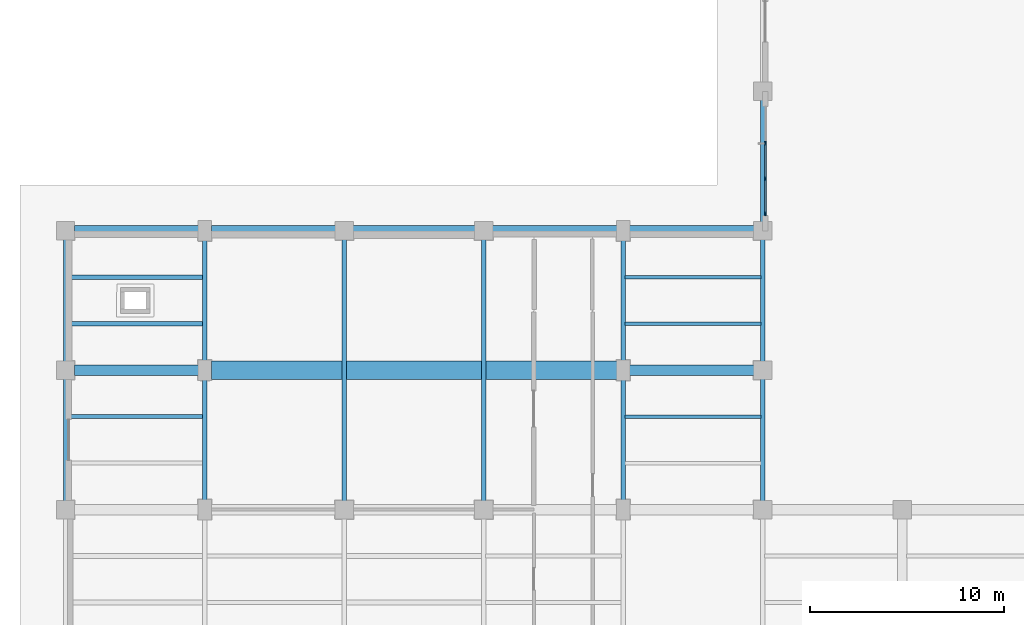
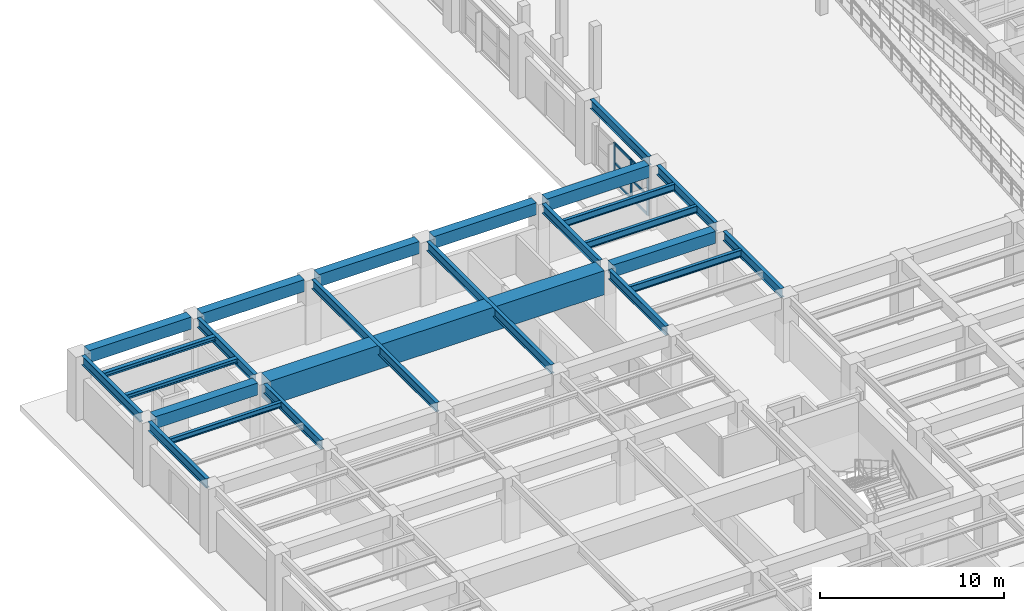
# One storey, part 9 of 64: 25 beams, 9 members, 1 element without a shape of its own.
"""IFC4 building model written with IfcOpenShell, lengths in metres."""

from ifc_helpers import new_model, si_unit, direction, frame, origin, origin_2d, place, context, subcontext, project, spatial, rectangle, i_section, extrude, material, layer, layer_set, material_profile, profile_set, type_object, element, aggregate, save


model = new_model("IFC4")

# Units and contexts
model_context = context("Model", 3, precision=1e-05, world=origin(), true_north=direction((0.0, 1.0)))
body_context = subcontext(model_context, "Body", "Model", "MODEL_VIEW")
ifc_project = project(units=[si_unit("LENGTHUNIT", "METRE"), si_unit("AREAUNIT", "SQUARE_METRE"), si_unit("VOLUMEUNIT", "CUBIC_METRE"), si_unit("PLANEANGLEUNIT", "RADIAN"), si_unit("MASSUNIT", "GRAM", prefix="KILO")], contexts=[model_context])

# Site, building, storey
site_placement = place(None, origin())
site = spatial("IfcSite", under=ifc_project, at=site_placement, CompositionType="ELEMENT")
building_placement = place(site_placement, origin())
building = spatial("IfcBuilding", under=site, at=building_placement, Name="Solenvale Faculty of Natural Sciences", CompositionType="ELEMENT")
storey_placement = place(building_placement, origin())
storey = spatial("IfcBuildingStorey", under=building, at=storey_placement, Name="L00", CompositionType="ELEMENT", Elevation=0.0)

# Beams
ifc_material_1 = material(Name="Concrete 40 MPa", Category="concrete")
ifc_material_profile_1 = material_profile(ifc_material_1, rectangle(XDim=0.550048828125, YDim=0.800048828125, at=origin_2d()), Name="RC-BM-550x800")
ifc_profile_set_1 = profile_set([ifc_material_profile_1], Name="Concrete 40 MPa")
beam_type_1 = type_object("IfcBeamType", Name="BM-RC-550x800", PredefinedType="BEAM", material=ifc_profile_set_1)
for number, where, z_axis, x_axis, name in (
    (1, (0.455078125, 36.0, 3.820068359375), (1.0, 0.0, 0.0), (0.0, 1.0, 0.0), "L00 X-Girder Y36.0 (0.0..7.2)"),
    (2, (29.1298828125, 36.0, 3.820068359375), (1.0, 0.0, 0.0), (0.0, 1.0, 0.0), "L00 X-Girder Y36.0 (28.8..36.0)"),
    (3, (0.455078125, 43.199951171875, 3.820068359375), (1.0, 0.0, 0.0), (0.0, 1.0, 0.0), "L00 X-Girder Y43.2 (0.0..7.2)"),
    (4, (7.530029296875, 43.199951171875, 3.820068359375), (1.0, 0.0, 0.0), (0.0, 1.0, 0.0), "L00 X-Girder Y43.2 (7.2..14.4)"),
):
    element("IfcBeam", number, at=place(storey_placement, frame(where, z_axis=z_axis, x_axis=x_axis)), inside=storey, type_object=beam_type_1, Name=name, PredefinedType="BEAM", context=body_context, shape_type="SweptSolid", body=[
        extrude(rectangle(XDim=0.550048828125, YDim=0.800048828125, at=origin_2d()), origin(), (0.0, 0.0, 1.0), 6.4150390625),
    ])
beam_1_placement = place(storey_placement, frame((14.85498046875, 43.199951171875, 3.820068359375), z_axis=(1.0, 0.0, 0.0), x_axis=(0.0, 1.0, 0.0)))
element("IfcBeam", 5, at=beam_1_placement, inside=storey, type_object=beam_type_1, Name="L00 X-Girder Y43.2 (14.4..21.6)", PredefinedType="BEAM", context=body_context, shape_type="SweptSolid", body=[
    extrude(rectangle(XDim=0.550048828125, YDim=0.800048828125, at=origin_2d()), origin(), (0.0, 0.0, 1.0), 6.2900390625),
])
for number, where, z_axis, x_axis, name in (
    (6, (22.054931640625, 43.199951171875, 3.820068359375), (1.0, 0.0, 0.0), (0.0, 1.0, 0.0), "L00 X-Girder Y43.2 (21.6..28.8)"),
    (7, (29.1298828125, 43.199951171875, 3.820068359375), (1.0, 0.0, 0.0), (0.0, 1.0, 0.0), "L00 X-Girder Y43.2 (28.8..36.0)"),
):
    element("IfcBeam", number, at=place(storey_placement, frame(where, z_axis=z_axis, x_axis=x_axis)), inside=storey, type_object=beam_type_1, Name=name, PredefinedType="BEAM", context=body_context, shape_type="SweptSolid", body=[
        extrude(rectangle(XDim=0.550048828125, YDim=0.800048828125, at=origin_2d()), origin(), (0.0, 0.0, 1.0), 6.4150390625),
    ])
ifc_material_2 = material(Name="Steel S355", Category="steel")
ifc_material_profile_2 = material_profile(ifc_material_2, i_section(OverallWidth=0.25390625, OverallDepth=0.305908203125, WebThickness=0.0087890625, FlangeThickness=0.0146484375, FilletRadius=0.014892578125, at=origin_2d()), Name="W310x79")
ifc_profile_set_2 = profile_set([ifc_material_profile_2], Name="Steel S355")
beam_type_2 = type_object("IfcBeamType", Name="BM-STL-W310x79", PredefinedType="JOIST", material=ifc_profile_set_2)
for number, where, z_axis, x_axis, name in (
    (8, (0.094970703125, 38.39990234375, 4.06689453125), (1.0, 0.0, 0.0), (0.0, 1.0, 0.0), "L00 Composite Floor Joist (1,6).1"),
    (9, (0.094970703125, 40.800048828125, 4.06689453125), (1.0, 0.0, 0.0), (0.0, 1.0, 0.0), "L00 Composite Floor Joist (1,6).2"),
):
    element("IfcBeam", number, at=place(storey_placement, frame(where, z_axis=z_axis, x_axis=x_axis)), inside=storey, type_object=beam_type_2, Name=name, PredefinedType="JOIST", context=body_context, shape_type="SweptSolid", body=[
        extrude(i_section(OverallWidth=0.25390625, OverallDepth=0.305908203125, WebThickness=0.0087890625, FlangeThickness=0.0146484375, FilletRadius=0.014892578125, at=origin_2d()), origin(), (0.0, 0.0, 1.0), 7.010986328125),
    ])
ifc_material_profile_3 = material_profile(ifc_material_2, i_section(OverallWidth=0.2041015625, OverallDepth=0.35009765625, WebThickness=0.008544921875, FlangeThickness=0.01513671875, FilletRadius=0.014892578125, at=origin_2d()), Name="W360x72")
ifc_profile_set_3 = profile_set([ifc_material_profile_3], Name="Steel S355")
beam_type_3 = type_object("IfcBeamType", Name="BM-STL-W360x72", PredefinedType="JOIST", material=ifc_profile_set_3)
beam_2_placement = place(storey_placement, frame((0.094970703125, 33.60009765625, 4.044921875), z_axis=(1.0, 0.0, 0.0), x_axis=(0.0, 1.0, 0.0)))
element("IfcBeam", 10, at=beam_2_placement, inside=storey, type_object=beam_type_3, Name="L00 Composite Floor Joist (1,5).2", PredefinedType="JOIST", context=body_context, shape_type="SweptSolid", body=[
    extrude(i_section(OverallWidth=0.2041015625, OverallDepth=0.35009765625, WebThickness=0.008544921875, FlangeThickness=0.01513671875, FilletRadius=0.014892578125, at=origin_2d()), origin(), (0.0, 0.0, 1.0), 7.010986328125),
])
ifc_material_profile_4 = material_profile(ifc_material_2, i_section(OverallWidth=0.194091796875, OverallDepth=0.468994140625, WebThickness=0.0126953125, FlangeThickness=0.0205078125, FilletRadius=0.01806640625, at=origin_2d()), Name="W460x106")
ifc_profile_set_4 = profile_set([ifc_material_profile_4], Name="Steel S355")
beam_type_4 = type_object("IfcBeamType", Name="BM-STL-W460x106", PredefinedType="JOIST", material=ifc_profile_set_4)
beam_3_placement = place(storey_placement, frame((28.89501953125, 33.60009765625, 3.985595703125), z_axis=(1.0, 0.0, 0.0), x_axis=(0.0, 1.0, 0.0)))
element("IfcBeam", 11, at=beam_3_placement, inside=storey, type_object=beam_type_4, Name="L00 Composite Floor Joist (5,5).2", PredefinedType="JOIST", context=body_context, shape_type="SweptSolid", body=[
    extrude(i_section(OverallWidth=0.194091796875, OverallDepth=0.468994140625, WebThickness=0.0126953125, FlangeThickness=0.0205078125, FilletRadius=0.01806640625, at=origin_2d()), origin(), (0.0, 0.0, 1.0), 7.010986328125),
])
ifc_material_profile_5 = material_profile(ifc_material_2, i_section(OverallWidth=0.19091796875, OverallDepth=0.4599609375, WebThickness=0.010009765625, FlangeThickness=0.01611328125, FilletRadius=0.01806640625, at=origin_2d()), Name="W460x82")
ifc_profile_set_5 = profile_set([ifc_material_profile_5], Name="Steel S355")
beam_type_5 = type_object("IfcBeamType", Name="BM-STL-W460x82", PredefinedType="JOIST", material=ifc_profile_set_5)
for number, where, z_axis, x_axis, name in (
    (12, (28.89501953125, 38.39990234375, 3.989990234375), (1.0, 0.0, 0.0), (0.0, 1.0, 0.0), "L00 Composite Floor Joist (5,6).1"),
    (13, (28.89501953125, 40.800048828125, 3.989990234375), (1.0, 0.0, 0.0), (0.0, 1.0, 0.0), "L00 Composite Floor Joist (5,6).2"),
):
    element("IfcBeam", number, at=place(storey_placement, frame(where, z_axis=z_axis, x_axis=x_axis)), inside=storey, type_object=beam_type_5, Name=name, PredefinedType="JOIST", context=body_context, shape_type="SweptSolid", body=[
        extrude(i_section(OverallWidth=0.19091796875, OverallDepth=0.4599609375, WebThickness=0.010009765625, FlangeThickness=0.01611328125, FilletRadius=0.01806640625, at=origin_2d()), origin(), (0.0, 0.0, 1.0), 7.010986328125),
    ])
ifc_material_profile_6 = material_profile(ifc_material_2, i_section(OverallWidth=0.22900390625, OverallDepth=0.612060546875, WebThickness=0.011962890625, FlangeThickness=0.01953125, FilletRadius=0.01904296875, at=origin_2d()), Name="W610x125")
ifc_profile_set_6 = profile_set([ifc_material_profile_6], Name="Steel S355")
beam_type_6 = type_object("IfcBeamType", Name="BM-STL-W610x125", PredefinedType="BEAM", material=ifc_profile_set_6)
for number, where, z_axis, x_axis, name in (
    (14, (0.0, 29.2548828125, 3.9140625), (0.0, 1.0, 0.0), (-1.0, 0.0, 0.0), "L00 Y-Girder X0.0 (28.8..36.0)"),
    (15, (0.0, 36.455078125, 3.9140625), (0.0, 1.0, 0.0), (-1.0, 0.0, 0.0), "L00 Y-Girder X0.0 (36.0..43.2)"),
):
    element("IfcBeam", number, at=place(storey_placement, frame(where, z_axis=z_axis, x_axis=x_axis)), inside=storey, type_object=beam_type_6, Name=name, PredefinedType="BEAM", context=body_context, shape_type="SweptSolid", body=[
        extrude(i_section(OverallWidth=0.22900390625, OverallDepth=0.612060546875, WebThickness=0.011962890625, FlangeThickness=0.01953125, FilletRadius=0.01904296875, at=origin_2d()), origin(), (0.0, 0.0, 1.0), 6.2900390625),
    ])
for number, where, z_axis, x_axis, name in (
    (16, (7.199951171875, 29.304931640625, 3.9140625), (0.0, 1.0, 0.0), (-1.0, 0.0, 0.0), "L00 Y-Girder X7.2 (28.8..36.0)"),
    (17, (7.199951171875, 36.5048828125, 3.9140625), (0.0, 1.0, 0.0), (-1.0, 0.0, 0.0), "L00 Y-Girder X7.2 (36.0..43.2)"),
):
    element("IfcBeam", number, at=place(storey_placement, frame(where, z_axis=z_axis, x_axis=x_axis)), inside=storey, type_object=beam_type_6, Name=name, PredefinedType="BEAM", context=body_context, shape_type="SweptSolid", body=[
        extrude(i_section(OverallWidth=0.22900390625, OverallDepth=0.612060546875, WebThickness=0.011962890625, FlangeThickness=0.01953125, FilletRadius=0.01904296875, at=origin_2d()), origin(), (0.0, 0.0, 1.0), 6.190185546875),
    ])
for number, where, z_axis, x_axis, name in (
    (18, (14.39990234375, 29.2548828125, 3.9140625), (0.0, 1.0, 0.0), (-1.0, 0.0, 0.0), "L00 Y-Girder X14.4 (28.8..43.2)"),
    (19, (21.60009765625, 29.2548828125, 3.9140625), (0.0, 1.0, 0.0), (-1.0, 0.0, 0.0), "L00 Y-Girder X21.6 (28.8..43.2)"),
):
    element("IfcBeam", number, at=place(storey_placement, frame(where, z_axis=z_axis, x_axis=x_axis)), inside=storey, type_object=beam_type_6, Name=name, PredefinedType="BEAM", context=body_context, shape_type="SweptSolid", body=[
        extrude(i_section(OverallWidth=0.22900390625, OverallDepth=0.612060546875, WebThickness=0.011962890625, FlangeThickness=0.01953125, FilletRadius=0.01904296875, at=origin_2d()), origin(), (0.0, 0.0, 1.0), 13.490234375),
    ])
for number, where, z_axis, x_axis, name in (
    (20, (28.800048828125, 29.304931640625, 3.9140625), (0.0, 1.0, 0.0), (-1.0, 0.0, 0.0), "L00 Y-Girder X28.8 (28.8..36.0)"),
    (21, (28.800048828125, 36.5048828125, 3.9140625), (0.0, 1.0, 0.0), (-1.0, 0.0, 0.0), "L00 Y-Girder X28.8 (36.0..43.2)"),
):
    element("IfcBeam", number, at=place(storey_placement, frame(where, z_axis=z_axis, x_axis=x_axis)), inside=storey, type_object=beam_type_6, Name=name, PredefinedType="BEAM", context=body_context, shape_type="SweptSolid", body=[
        extrude(i_section(OverallWidth=0.22900390625, OverallDepth=0.612060546875, WebThickness=0.011962890625, FlangeThickness=0.01953125, FilletRadius=0.01904296875, at=origin_2d()), origin(), (0.0, 0.0, 1.0), 6.190185546875),
    ])
for number, where, z_axis, x_axis, name in (
    (22, (36.0, 29.2548828125, 3.9140625), (0.0, 1.0, 0.0), (-1.0, 0.0, 0.0), "L00 Y-Girder X36.0 (28.8..36.0)"),
    (23, (36.0, 36.455078125, 3.9140625), (0.0, 1.0, 0.0), (-1.0, 0.0, 0.0), "L00 Y-Girder X36.0 (36.0..43.2)"),
    (24, (36.0, 43.655029296875, 3.9140625), (0.0, 1.0, 0.0), (-1.0, 0.0, 0.0), "L00 Y-Girder X36.0 (43.2..50.4)"),
):
    element("IfcBeam", number, at=place(storey_placement, frame(where, z_axis=z_axis, x_axis=x_axis)), inside=storey, type_object=beam_type_6, Name=name, PredefinedType="BEAM", context=body_context, shape_type="SweptSolid", body=[
        extrude(i_section(OverallWidth=0.22900390625, OverallDepth=0.612060546875, WebThickness=0.011962890625, FlangeThickness=0.01953125, FilletRadius=0.01904296875, at=origin_2d()), origin(), (0.0, 0.0, 1.0), 6.2900390625),
    ])
ifc_material_3 = material(Name="Concrete 50 MPa", Category="concrete")
ifc_material_profile_7 = material_profile(ifc_material_3, rectangle(XDim=0.949951171875, YDim=1.60009765625, at=origin_2d()), Name="RC-TRG-950x1600")
ifc_profile_set_7 = profile_set([ifc_material_profile_7], Name="Concrete 50 MPa")
beam_type_7 = type_object("IfcBeamType", Name="BM-TRG-950x1600", PredefinedType="BEAM", material=ifc_profile_set_7)
beam_4_placement = place(storey_placement, frame((7.530029296875, 36.0, 3.419921875), z_axis=(1.0, 0.0, 0.0), x_axis=(0.0, 1.0, 0.0)))
element("IfcBeam", 25, at=beam_4_placement, inside=storey, type_object=beam_type_7, Name="L00 Transfer Girder Y36.0 (7.2..28.8)", PredefinedType="BEAM", context=body_context, shape_type="SweptSolid", body=[
    extrude(rectangle(XDim=0.949951171875, YDim=1.60009765625, at=origin_2d()), origin(), (0.0, 0.0, 1.0), 20.93994140625),
])

# Curtain wall, members
ifc_material_4 = material(Name="Anodised bronze aluminium", Category="aluminium")
ifc_layer = layer(ifc_material_4, 0.215087890625)
ifc_layer_set = layer_set([ifc_layer], Name="Anodised bronze aluminium")
curtain_wall_type = type_object("IfcCurtainWallType", Name="CW-ATR-UNIT", PredefinedType="USERDEFINED", material=ifc_layer_set)
curtain_wall_placement = place(storey_placement, origin())
curtain_wall = element("IfcCurtainWall", 26, at=curtain_wall_placement, inside=storey, type_object=curtain_wall_type, Name="L00 Curtain Wall CW-L00-P1-E22-B7", ObjectType="UNITISED CURTAIN WALL", PredefinedType="USERDEFINED")
ifc_material_profile_8 = material_profile(ifc_material_4, rectangle(XDim=0.074951171875, YDim=0.2099609375, at=origin_2d()), Name="ALU-MUL-75x210")
ifc_profile_set_8 = profile_set([ifc_material_profile_8], Name="Anodised bronze aluminium")
member_type_1 = type_object("IfcMemberType", Name="CWM-ALU-75x210", PredefinedType="MULLION", material=ifc_profile_set_8)
member_1_placement = place(storey_placement, frame((36.142578125, 47.716552734375, 0.0), z_axis=(0.0, 0.0, 1.0), x_axis=(1.0, 0.0, 0.0)))
member_1 = element("IfcMember", 27, at=member_1_placement, type_object=member_type_1, Name="CW-01 mullion 2", PredefinedType="MULLION", context=body_context, shape_type="SweptSolid", body=[
    extrude(rectangle(XDim=0.074951171875, YDim=0.2099609375, at=origin_2d()), origin(), (0.0, 0.0, 1.0), 2.60009765625),
])
member_2_placement = place(storey_placement, frame((36.142578125, 45.88330078125, 0.0), z_axis=(0.0, 0.0, 1.0), x_axis=(1.0, 0.0, 0.0)))
member_2 = element("IfcMember", 28, at=member_2_placement, type_object=member_type_1, Name="CW-01 mullion 3", PredefinedType="MULLION", context=body_context, shape_type="SweptSolid", body=[
    extrude(rectangle(XDim=0.074951171875, YDim=0.2099609375, at=origin_2d()), origin(), (0.0, 0.0, 1.0), 2.60009765625),
])
member_3_placement = place(storey_placement, frame((36.142578125, 44.08740234375, 0.0), z_axis=(0.0, 0.0, 1.0), x_axis=(1.0, 0.0, 0.0)))
member_3 = element("IfcMember", 29, at=member_3_placement, type_object=member_type_1, Name="CW-01 mullion 4", PredefinedType="MULLION", context=body_context, shape_type="SweptSolid", body=[
    extrude(rectangle(XDim=0.074951171875, YDim=0.2099609375, at=origin_2d()), origin(), (0.0, 0.0, 1.0), 2.60009765625),
])
ifc_material_profile_9 = material_profile(ifc_material_4, rectangle(XDim=0.074951171875, YDim=0.155029296875, at=origin_2d()), Name="ALU-TRN-75x155")
ifc_profile_set_9 = profile_set([ifc_material_profile_9], Name="Anodised bronze aluminium")
member_type_2 = type_object("IfcMemberType", Name="CWT-ALU-75x155", PredefinedType="USERDEFINED", material=ifc_profile_set_9)
member_4_placement = place(storey_placement, frame((36.142578125, 47.67919921875, 0.03759765625), z_axis=(0.0, -1.0, 0.0), x_axis=(1.0, 0.0, 0.0)))
member_4 = element("IfcMember", 30, at=member_4_placement, type_object=member_type_2, Name="CW-01 transom 2.1", ObjectType="TRANSOM", PredefinedType="USERDEFINED", context=body_context, shape_type="SweptSolid", body=[
    extrude(rectangle(XDim=0.074951171875, YDim=0.155029296875, at=origin_2d()), origin(), (0.0, 0.0, 1.0), 1.75830078125),
])
member_5_placement = place(storey_placement, frame((36.142578125, 47.67919921875, 1.300048828125), z_axis=(0.0, -1.0, 0.0), x_axis=(1.0, 0.0, 0.0)))
member_5 = element("IfcMember", 31, at=member_5_placement, type_object=member_type_2, Name="CW-01 transom 2.2", ObjectType="TRANSOM", PredefinedType="USERDEFINED", context=body_context, shape_type="SweptSolid", body=[
    extrude(rectangle(XDim=0.074951171875, YDim=0.155029296875, at=origin_2d()), origin(), (0.0, 0.0, 1.0), 1.75830078125),
])
member_6_placement = place(storey_placement, frame((36.142578125, 47.67919921875, 2.5625), z_axis=(0.0, -1.0, 0.0), x_axis=(1.0, 0.0, 0.0)))
member_6 = element("IfcMember", 32, at=member_6_placement, type_object=member_type_2, Name="CW-01 transom 2.3", ObjectType="TRANSOM", PredefinedType="USERDEFINED", context=body_context, shape_type="SweptSolid", body=[
    extrude(rectangle(XDim=0.074951171875, YDim=0.155029296875, at=origin_2d()), origin(), (0.0, 0.0, 1.0), 1.75830078125),
])
member_7_placement = place(storey_placement, frame((36.142578125, 45.845947265625, 0.03759765625), z_axis=(0.0, -1.0, 0.0), x_axis=(1.0, 0.0, 0.0)))
member_7 = element("IfcMember", 33, at=member_7_placement, type_object=member_type_2, Name="CW-01 transom 3.1", ObjectType="TRANSOM", PredefinedType="USERDEFINED", context=body_context, shape_type="SweptSolid", body=[
    extrude(rectangle(XDim=0.074951171875, YDim=0.155029296875, at=origin_2d()), origin(), (0.0, 0.0, 1.0), 1.720947265625),
])
member_8_placement = place(storey_placement, frame((36.142578125, 45.845947265625, 1.300048828125), z_axis=(0.0, -1.0, 0.0), x_axis=(1.0, 0.0, 0.0)))
member_8 = element("IfcMember", 34, at=member_8_placement, type_object=member_type_2, Name="CW-01 transom 3.2", ObjectType="TRANSOM", PredefinedType="USERDEFINED", context=body_context, shape_type="SweptSolid", body=[
    extrude(rectangle(XDim=0.074951171875, YDim=0.155029296875, at=origin_2d()), origin(), (0.0, 0.0, 1.0), 1.720947265625),
])
member_9_placement = place(storey_placement, frame((36.142578125, 45.845947265625, 2.5625), z_axis=(0.0, -1.0, 0.0), x_axis=(1.0, 0.0, 0.0)))
member_9 = element("IfcMember", 35, at=member_9_placement, type_object=member_type_2, Name="CW-01 transom 3.3", ObjectType="TRANSOM", PredefinedType="USERDEFINED", context=body_context, shape_type="SweptSolid", body=[
    extrude(rectangle(XDim=0.074951171875, YDim=0.155029296875, at=origin_2d()), origin(), (0.0, 0.0, 1.0), 1.720947265625),
])
aggregate(curtain_wall, [member_1, member_2, member_3, member_4, member_5, member_6, member_7, member_8, member_9])

save(model, "model.ifc")
